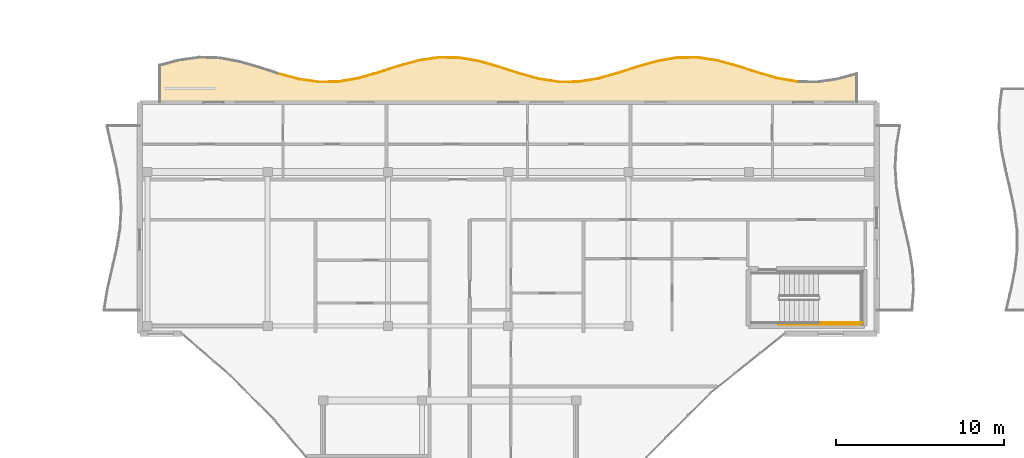
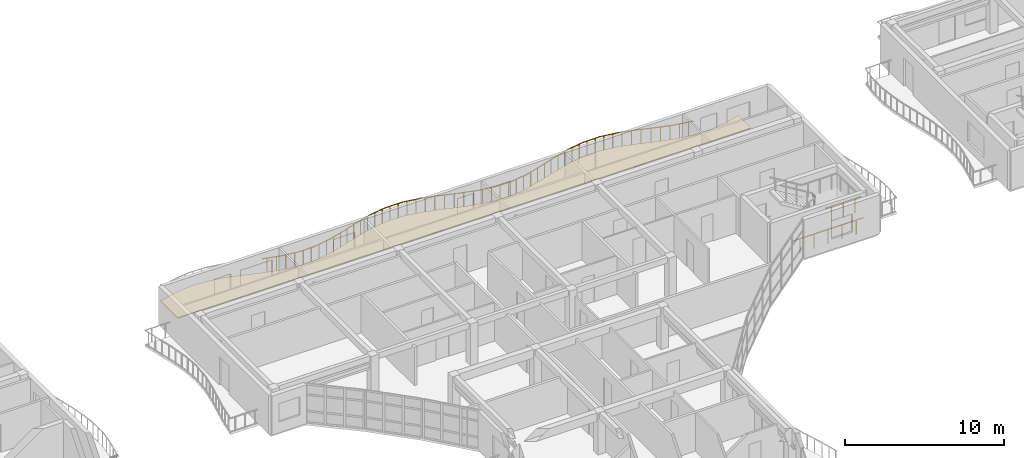
# One storey, part 44 of 49: 28 railings, 1 covering.
"""IFC4 building model written with IfcOpenShell, lengths in metres."""

from ifc_helpers import new_model, si_unit, direction, frame, origin, origin_2d, place, context, subcontext, project, spatial, polyline, circle, outline, extrude, material, layer, layer_set, type_object, element, save


model = new_model("IFC4")

# Units and contexts
model_context = context("Model", 3, precision=1e-05, world=origin(), true_north=direction((0.0, 1.0)))
body_context = subcontext(model_context, "Body", "Model", "MODEL_VIEW")
ifc_project = project(units=[si_unit("LENGTHUNIT", "METRE"), si_unit("AREAUNIT", "SQUARE_METRE"), si_unit("VOLUMEUNIT", "CUBIC_METRE"), si_unit("PLANEANGLEUNIT", "RADIAN"), si_unit("MASSUNIT", "GRAM", prefix="KILO")], contexts=[model_context])

# Site, building, storey
site_placement = place(None, origin())
site = spatial("IfcSite", under=ifc_project, at=site_placement, CompositionType="ELEMENT")
building_placement = place(site_placement, origin())
building = spatial("IfcBuilding", under=site, at=building_placement, Name="Keldmere Railside Commons", CompositionType="ELEMENT")
storey_placement = place(building_placement, frame((0.0, 0.0, 29.760009765625)))
storey = spatial("IfcBuildingStorey", under=building, at=storey_placement, Name="L09", CompositionType="ELEMENT", Elevation=29.760009765625)

# Railings
ifc_material_1 = material(Name="Steel F-24 (S235)", Category="steel")
railing_type_1 = type_object("IfcRailingType", Name="Balcony & Terrace Steel Balustrade 1100", PredefinedType="BALUSTRADE", material=ifc_material_1)
railing_1_placement = place(storey_placement, frame((101.831298828125, 115.502197265625, 0.0)))
element("IfcRailing", 1, at=railing_1_placement, inside=storey, type_object=railing_type_1, Name="GR-1 GRD-L09-2846", PredefinedType="BALUSTRADE", context=body_context, shape_type="SweptSolid", body=[
    extrude(circle(Radius=0.02392578125, at=origin_2d()), frame((0.0, 0.0, 1.076171875), z_axis=(0.965957790255, -0.25869972448, 0.0), x_axis=(0.25869972448, 0.965957790255, 0.0)), (0.0, 0.0, 1.0), 1.230712890625),
    extrude(circle(Radius=0.02099609375, at=origin_2d()), frame((0.297119140625, -0.07958984375, 0.0)), (0.0, 0.0, 1.0), 1.048095703125),
    extrude(circle(Radius=0.02099609375, at=origin_2d()), frame((0.8916015625, -0.23876953125, 0.0)), (0.0, 0.0, 1.0), 1.048095703125),
])
railing_2_placement = place(storey_placement, frame((103.02001953125, 115.183837890625, 0.0)))
element("IfcRailing", 2, at=railing_2_placement, inside=storey, type_object=railing_type_1, Name="GR-1 GRD-L09-2847", PredefinedType="BALUSTRADE", context=body_context, shape_type="SweptSolid", body=[
    extrude(circle(Radius=0.02392578125, at=origin_2d()), frame((0.0, 0.0, 1.076171875), z_axis=(0.989990126101, -0.141136636712, 0.0), x_axis=(0.141136636712, 0.989990126101, 0.0)), (0.0, 0.0, 1.0), 1.200439453125),
    extrude(circle(Radius=0.02099609375, at=origin_2d()), frame((0.297119140625, -0.04248046875, 0.0)), (0.0, 0.0, 1.0), 1.048095703125),
    extrude(circle(Radius=0.02099609375, at=origin_2d()), frame((0.891357421875, -0.126953125, 0.0)), (0.0, 0.0, 1.0), 1.048095703125),
])
railing_3_placement = place(storey_placement, frame((104.20849609375, 115.014404296875, 0.0)))
element("IfcRailing", 3, at=railing_3_placement, inside=storey, type_object=railing_type_1, Name="GR-1 GRD-L09-2848", PredefinedType="BALUSTRADE", context=body_context, shape_type="SweptSolid", body=[
    extrude(circle(Radius=0.02392578125, at=origin_2d()), frame((0.0, 0.0, 1.076171875), z_axis=(0.999793354377, 0.020328515523, 0.0), x_axis=(-0.020328515523, 0.999793354377, 0.0)), (0.0, 0.0, 1.0), 1.18896484375),
    extrude(circle(Radius=0.02099609375, at=origin_2d()), frame((0.297119140625, 0.006103515625, 0.0)), (0.0, 0.0, 1.0), 1.048095703125),
    extrude(circle(Radius=0.02099609375, at=origin_2d()), frame((0.8916015625, 0.01806640625, 0.0)), (0.0, 0.0, 1.0), 1.048095703125),
])
railing_4_placement = place(storey_placement, frame((105.397216796875, 115.03857421875, 0.0)))
element("IfcRailing", 4, at=railing_4_placement, inside=storey, type_object=railing_type_1, Name="GR-1 GRD-L09-2849", PredefinedType="BALUSTRADE", context=body_context, shape_type="SweptSolid", body=[
    extrude(circle(Radius=0.02392578125, at=origin_2d()), frame((0.0, 0.0, 1.076171875), z_axis=(0.9845772208, 0.174950553819, 0.0), x_axis=(-0.174950553819, 0.9845772208, 0.0)), (0.0, 0.0, 1.0), 1.20703125),
    extrude(circle(Radius=0.02099609375, at=origin_2d()), frame((0.297119140625, 0.052734375, 0.0)), (0.0, 0.0, 1.0), 1.048095703125),
    extrude(circle(Radius=0.02099609375, at=origin_2d()), frame((0.891357421875, 0.158447265625, 0.0)), (0.0, 0.0, 1.0), 1.048095703125),
])
railing_5_placement = place(storey_placement, frame((106.585693359375, 115.249755859375, 0.0)))
element("IfcRailing", 5, at=railing_5_placement, inside=storey, type_object=railing_type_1, Name="GR-1 GRD-L09-2850", PredefinedType="BALUSTRADE", context=body_context, shape_type="SweptSolid", body=[
    extrude(circle(Radius=0.02392578125, at=origin_2d()), frame((0.0, 0.0, 1.076171875), z_axis=(0.960850873278, 0.27706605588, 0.0), x_axis=(-0.27706605588, 0.960850873278, 0.0)), (0.0, 0.0, 1.0), 1.237060546875),
    extrude(circle(Radius=0.02099609375, at=origin_2d()), frame((0.297119140625, 0.085693359375, 0.0)), (0.0, 0.0, 1.0), 1.048095703125),
    extrude(circle(Radius=0.02099609375, at=origin_2d()), frame((0.8916015625, 0.257080078125, 0.0)), (0.0, 0.0, 1.0), 1.048095703125),
])
railing_6_placement = place(storey_placement, frame((107.7744140625, 115.592529296875, 0.0)))
element("IfcRailing", 6, at=railing_6_placement, inside=storey, type_object=railing_type_1, Name="GR-1 GRD-L09-2851", PredefinedType="BALUSTRADE", context=body_context, shape_type="SweptSolid", body=[
    extrude(circle(Radius=0.02392578125, at=origin_2d()), frame((0.0, 0.0, 1.076171875), z_axis=(0.95155558604, 0.307476774207, 0.0), x_axis=(-0.307476774207, 0.95155558604, 0.0)), (0.0, 0.0, 1.0), 1.2490234375),
    extrude(circle(Radius=0.02099609375, at=origin_2d()), frame((0.297119140625, 0.095947265625, 0.0)), (0.0, 0.0, 1.0), 1.048095703125),
    extrude(circle(Radius=0.02099609375, at=origin_2d()), frame((0.891357421875, 0.2880859375, 0.0)), (0.0, 0.0, 1.0), 1.048095703125),
])
railing_7_placement = place(storey_placement, frame((108.962890625, 115.9765625, 0.0)))
element("IfcRailing", 7, at=railing_7_placement, inside=storey, type_object=railing_type_1, Name="GR-1 GRD-L09-2852", PredefinedType="BALUSTRADE", context=body_context, shape_type="SweptSolid", body=[
    extrude(circle(Radius=0.02392578125, at=origin_2d()), frame((0.0, 0.0, 1.076171875), z_axis=(0.9646448265, 0.263553331809, 0.0), x_axis=(-0.263553331809, 0.9646448265, 0.0)), (0.0, 0.0, 1.0), 1.23193359375),
    extrude(circle(Radius=0.02099609375, at=origin_2d()), frame((0.297119140625, 0.0810546875, 0.0)), (0.0, 0.0, 1.0), 1.048095703125),
    extrude(circle(Radius=0.02099609375, at=origin_2d()), frame((0.891357421875, 0.24365234375, 0.0)), (0.0, 0.0, 1.0), 1.048095703125),
])
railing_8_placement = place(storey_placement, frame((110.1513671875, 116.30126953125, 0.0)))
element("IfcRailing", 8, at=railing_8_placement, inside=storey, type_object=railing_type_1, Name="GR-1 GRD-L09-2853", PredefinedType="BALUSTRADE", context=body_context, shape_type="SweptSolid", body=[
    extrude(circle(Radius=0.02392578125, at=origin_2d()), frame((0.0, 0.0, 1.076171875), z_axis=(0.988797390165, 0.149263931356, 0.0), x_axis=(-0.149263931356, 0.988797390165, 0.0)), (0.0, 0.0, 1.0), 1.2021484375),
    extrude(circle(Radius=0.02099609375, at=origin_2d()), frame((0.297119140625, 0.044921875, 0.0)), (0.0, 0.0, 1.0), 1.048095703125),
    extrude(circle(Radius=0.02099609375, at=origin_2d()), frame((0.8916015625, 0.134521484375, 0.0)), (0.0, 0.0, 1.0), 1.048095703125),
])
railing_9_placement = place(storey_placement, frame((111.340087890625, 116.480712890625, 0.0)))
element("IfcRailing", 9, at=railing_9_placement, inside=storey, type_object=railing_type_1, Name="GR-1 GRD-L09-2854", PredefinedType="BALUSTRADE", context=body_context, shape_type="SweptSolid", body=[
    extrude(circle(Radius=0.02392578125, at=origin_2d()), frame((0.0, 0.0, 1.076171875), z_axis=(0.999945125135, -0.010476006857, 0.0), x_axis=(0.010476006857, 0.999945125135, 0.0)), (0.0, 0.0, 1.0), 1.1884765625),
    extrude(circle(Radius=0.02099609375, at=origin_2d()), frame((0.297119140625, -0.003173828125, 0.0)), (0.0, 0.0, 1.0), 1.048095703125),
    extrude(circle(Radius=0.02099609375, at=origin_2d()), frame((0.891357421875, -0.00927734375, 0.0)), (0.0, 0.0, 1.0), 1.048095703125),
])
railing_10_placement = place(storey_placement, frame((112.528564453125, 116.46826171875, 0.0)))
element("IfcRailing", 10, at=railing_10_placement, inside=storey, type_object=railing_type_1, Name="GR-1 GRD-L09-2855", PredefinedType="BALUSTRADE", context=body_context, shape_type="SweptSolid", body=[
    extrude(circle(Radius=0.02392578125, at=origin_2d()), frame((0.0, 0.0, 1.076171875), z_axis=(0.985941385407, -0.167091545391, 0.0), x_axis=(0.167091545391, 0.985941385407, 0.0)), (0.0, 0.0, 1.0), 1.205322265625),
    extrude(circle(Radius=0.02099609375, at=origin_2d()), frame((0.297119140625, -0.05029296875, 0.0)), (0.0, 0.0, 1.0), 1.048095703125),
    extrude(circle(Radius=0.02099609375, at=origin_2d()), frame((0.891357421875, -0.151123046875, 0.0)), (0.0, 0.0, 1.0), 1.048095703125),
])
railing_11_placement = place(storey_placement, frame((113.717041015625, 116.266845703125, 0.0)))
element("IfcRailing", 11, at=railing_11_placement, inside=storey, type_object=railing_type_1, Name="GR-1 GRD-L09-2856", PredefinedType="BALUSTRADE", context=body_context, shape_type="SweptSolid", body=[
    extrude(circle(Radius=0.02392578125, at=origin_2d()), frame((0.0, 0.0, 1.076171875), z_axis=(0.961999662981, -0.273050633444, 0.0), x_axis=(0.273050633444, 0.961999662981, 0.0)), (0.0, 0.0, 1.0), 1.235595703125),
    extrude(circle(Radius=0.02099609375, at=origin_2d()), frame((0.297119140625, -0.08447265625, 0.0)), (0.0, 0.0, 1.0), 1.048095703125),
    extrude(circle(Radius=0.02099609375, at=origin_2d()), frame((0.8916015625, -0.2529296875, 0.0)), (0.0, 0.0, 1.0), 1.048095703125),
])
railing_12_placement = place(storey_placement, frame((114.90576171875, 115.929443359375, 0.0)))
element("IfcRailing", 12, at=railing_12_placement, inside=storey, type_object=railing_type_1, Name="GR-1 GRD-L09-2857", PredefinedType="BALUSTRADE", context=body_context, shape_type="SweptSolid", body=[
    extrude(circle(Radius=0.02392578125, at=origin_2d()), frame((0.0, 0.0, 1.076171875), z_axis=(0.951441151342, -0.307830692967, 0.0), x_axis=(0.307830692967, 0.951441151342, 0.0)), (0.0, 0.0, 1.0), 1.2490234375),
    extrude(circle(Radius=0.02099609375, at=origin_2d()), frame((0.297119140625, -0.09619140625, 0.0)), (0.0, 0.0, 1.0), 1.048095703125),
    extrude(circle(Radius=0.02099609375, at=origin_2d()), frame((0.891357421875, -0.288330078125, 0.0)), (0.0, 0.0, 1.0), 1.048095703125),
])
railing_13_placement = place(storey_placement, frame((116.09423828125, 115.544921875, 0.0)))
element("IfcRailing", 13, at=railing_13_placement, inside=storey, type_object=railing_type_1, Name="GR-1 GRD-L09-2858", PredefinedType="BALUSTRADE", context=body_context, shape_type="SweptSolid", body=[
    extrude(circle(Radius=0.02392578125, at=origin_2d()), frame((0.0, 0.0, 1.076171875), z_axis=(0.963390238713, -0.268103054725, 0.0), x_axis=(0.268103054725, 0.963390238713, 0.0)), (0.0, 0.0, 1.0), 1.23388671875),
    extrude(circle(Radius=0.02099609375, at=origin_2d()), frame((0.297119140625, -0.082763671875, 0.0)), (0.0, 0.0, 1.0), 1.048095703125),
    extrude(circle(Radius=0.02099609375, at=origin_2d()), frame((0.8916015625, -0.248046875, 0.0)), (0.0, 0.0, 1.0), 1.048095703125),
])
railing_14_placement = place(storey_placement, frame((117.282958984375, 115.214111328125, 0.0)))
element("IfcRailing", 14, at=railing_14_placement, inside=storey, type_object=railing_type_1, Name="GR-1 GRD-L09-2859", PredefinedType="BALUSTRADE", context=body_context, shape_type="SweptSolid", body=[
    extrude(circle(Radius=0.02392578125, at=origin_2d()), frame((0.0, 0.0, 1.076171875), z_axis=(0.987500057711, -0.157618641093, 0.0), x_axis=(0.157618641093, 0.987500057711, 0.0)), (0.0, 0.0, 1.0), 1.20361328125),
    extrude(circle(Radius=0.02099609375, at=origin_2d()), frame((0.297119140625, -0.04736328125, 0.0)), (0.0, 0.0, 1.0), 1.048095703125),
    extrude(circle(Radius=0.02099609375, at=origin_2d()), frame((0.891357421875, -0.142333984375, 0.0)), (0.0, 0.0, 1.0), 1.048095703125),
])
railing_15_placement = place(storey_placement, frame((118.471435546875, 115.0244140625, 0.0)))
element("IfcRailing", 15, at=railing_15_placement, inside=storey, type_object=railing_type_1, Name="GR-1 GRD-L09-2860", PredefinedType="BALUSTRADE", context=body_context, shape_type="SweptSolid", body=[
    extrude(circle(Radius=0.02392578125, at=origin_2d()), frame((0.0, 0.0, 1.076171875), z_axis=(0.999999472517, 0.001027115317, 0.0), x_axis=(-0.001027115317, 0.999999472517, 0.0)), (0.0, 0.0, 1.0), 1.1884765625),
    extrude(circle(Radius=0.02099609375, at=origin_2d()), frame((0.297119140625, 0.000244140625, 0.0)), (0.0, 0.0, 1.0), 1.048095703125),
    extrude(circle(Radius=0.02099609375, at=origin_2d()), frame((0.891357421875, 0.0009765625, 0.0)), (0.0, 0.0, 1.0), 1.048095703125),
])
railing_16_placement = place(storey_placement, frame((119.659912109375, 115.025634765625, 0.0)))
element("IfcRailing", 16, at=railing_16_placement, inside=storey, type_object=railing_type_1, Name="GR-1 GRD-L09-2861", PredefinedType="BALUSTRADE", context=body_context, shape_type="SweptSolid", body=[
    extrude(circle(Radius=0.02392578125, at=origin_2d()), frame((0.0, 0.0, 1.076171875), z_axis=(0.987251400737, 0.159168689583, 0.0), x_axis=(-0.159168689583, 0.987251400737, 0.0)), (0.0, 0.0, 1.0), 1.2041015625),
    extrude(circle(Radius=0.02099609375, at=origin_2d()), frame((0.297119140625, 0.0478515625, 0.0)), (0.0, 0.0, 1.0), 1.048095703125),
    extrude(circle(Radius=0.02099609375, at=origin_2d()), frame((0.8916015625, 0.143798828125, 0.0)), (0.0, 0.0, 1.0), 1.048095703125),
])
railing_17_placement = place(storey_placement, frame((120.8486328125, 115.21728515625, 0.0)))
element("IfcRailing", 17, at=railing_17_placement, inside=storey, type_object=railing_type_1, Name="GR-1 GRD-L09-2862", PredefinedType="BALUSTRADE", context=body_context, shape_type="SweptSolid", body=[
    extrude(circle(Radius=0.02392578125, at=origin_2d()), frame((0.0, 0.0, 1.076171875), z_axis=(0.963222507096, 0.268705046145, 0.0), x_axis=(-0.268705046145, 0.963222507096, 0.0)), (0.0, 0.0, 1.0), 1.23388671875),
    extrude(circle(Radius=0.02099609375, at=origin_2d()), frame((0.297119140625, 0.0830078125, 0.0)), (0.0, 0.0, 1.0), 1.048095703125),
    extrude(circle(Radius=0.02099609375, at=origin_2d()), frame((0.891357421875, 0.24853515625, 0.0)), (0.0, 0.0, 1.0), 1.048095703125),
])
railing_18_placement = place(storey_placement, frame((122.037109375, 115.548828125, 0.0)))
element("IfcRailing", 18, at=railing_18_placement, inside=storey, type_object=railing_type_1, Name="GR-1 GRD-L09-2863", PredefinedType="BALUSTRADE", context=body_context, shape_type="SweptSolid", body=[
    extrude(circle(Radius=0.02392578125, at=origin_2d()), frame((0.0, 0.0, 1.076171875), z_axis=(0.951383894966, 0.308007604451, 0.0), x_axis=(-0.308007604451, 0.951383894966, 0.0)), (0.0, 0.0, 1.0), 1.249267578125),
    extrude(circle(Radius=0.02099609375, at=origin_2d()), frame((0.297119140625, 0.09619140625, 0.0)), (0.0, 0.0, 1.0), 1.048095703125),
    extrude(circle(Radius=0.02099609375, at=origin_2d()), frame((0.891357421875, 0.28857421875, 0.0)), (0.0, 0.0, 1.0), 1.048095703125),
])
railing_19_placement = place(storey_placement, frame((123.2255859375, 115.93359375, 0.0)))
element("IfcRailing", 19, at=railing_19_placement, inside=storey, type_object=railing_type_1, Name="GR-1 GRD-L09-2864", PredefinedType="BALUSTRADE", context=body_context, shape_type="SweptSolid", body=[
    extrude(circle(Radius=0.02392578125, at=origin_2d()), frame((0.0, 0.0, 1.076171875), z_axis=(0.962258789802, 0.272136034824, 0.0), x_axis=(-0.272136034824, 0.962258789802, 0.0)), (0.0, 0.0, 1.0), 1.2353515625),
    extrude(circle(Radius=0.02099609375, at=origin_2d()), frame((0.297119140625, 0.083984375, 0.0)), (0.0, 0.0, 1.0), 1.048095703125),
    extrude(circle(Radius=0.02099609375, at=origin_2d()), frame((0.8916015625, 0.252197265625, 0.0)), (0.0, 0.0, 1.0), 1.048095703125),
])
railing_20_placement = place(storey_placement, frame((124.414306640625, 116.269775390625, 0.0)))
element("IfcRailing", 20, at=railing_20_placement, inside=storey, type_object=railing_type_1, Name="GR-1 GRD-L09-2865", PredefinedType="BALUSTRADE", context=body_context, shape_type="SweptSolid", body=[
    extrude(circle(Radius=0.02392578125, at=origin_2d()), frame((0.0, 0.0, 1.076171875), z_axis=(0.986174039909, 0.165712893313, 0.0), x_axis=(-0.165712893313, 0.986174039909, 0.0)), (0.0, 0.0, 1.0), 1.205078125),
    extrude(circle(Radius=0.02099609375, at=origin_2d()), frame((0.297119140625, 0.0498046875, 0.0)), (0.0, 0.0, 1.0), 1.048095703125),
    extrude(circle(Radius=0.02099609375, at=origin_2d()), frame((0.891357421875, 0.14990234375, 0.0)), (0.0, 0.0, 1.0), 1.048095703125),
])
railing_21_placement = place(storey_placement, frame((125.602783203125, 116.469482421875, 0.0)))
element("IfcRailing", 21, at=railing_21_placement, inside=storey, type_object=railing_type_1, Name="GR-1 GRD-L09-2866", PredefinedType="BALUSTRADE", context=body_context, shape_type="SweptSolid", body=[
    extrude(circle(Radius=0.02392578125, at=origin_2d()), frame((0.0, 0.0, 1.076171875), z_axis=(0.999961005625, 0.00883103784, 0.0), x_axis=(-0.00883103784, 0.999961005625, 0.0)), (0.0, 0.0, 1.0), 1.188720703125),
    extrude(circle(Radius=0.02099609375, at=origin_2d()), frame((0.297119140625, 0.002685546875, 0.0)), (0.0, 0.0, 1.0), 1.048095703125),
    extrude(circle(Radius=0.02099609375, at=origin_2d()), frame((0.8916015625, 0.0078125, 0.0)), (0.0, 0.0, 1.0), 1.048095703125),
])
railing_22_placement = place(storey_placement, frame((126.79150390625, 116.47998046875, 0.0)))
element("IfcRailing", 22, at=railing_22_placement, inside=storey, type_object=railing_type_1, Name="GR-1 GRD-L09-2867", PredefinedType="BALUSTRADE", context=body_context, shape_type="SweptSolid", body=[
    extrude(circle(Radius=0.02392578125, at=origin_2d()), frame((0.0, 0.0, 1.076171875), z_axis=(0.988521459957, -0.151080518942, 0.0), x_axis=(0.151080518942, 0.988521459957, 0.0)), (0.0, 0.0, 1.0), 1.202392578125),
    extrude(circle(Radius=0.02099609375, at=origin_2d()), frame((0.297119140625, -0.04541015625, 0.0)), (0.0, 0.0, 1.0), 1.048095703125),
    extrude(circle(Radius=0.02099609375, at=origin_2d()), frame((0.891357421875, -0.13623046875, 0.0)), (0.0, 0.0, 1.0), 1.048095703125),
])
railing_23_placement = place(storey_placement, frame((127.97998046875, 116.29833984375, 0.0)))
element("IfcRailing", 23, at=railing_23_placement, inside=storey, type_object=railing_type_1, Name="GR-1 GRD-L09-2868", PredefinedType="BALUSTRADE", context=body_context, shape_type="SweptSolid", body=[
    extrude(circle(Radius=0.02392578125, at=origin_2d()), frame((0.0, 0.0, 1.076171875), z_axis=(0.964456903817, -0.264240195049, 0.0), x_axis=(0.264240195049, 0.964456903817, 0.0)), (0.0, 0.0, 1.0), 1.232421875),
    extrude(circle(Radius=0.02099609375, at=origin_2d()), frame((0.297119140625, -0.08154296875, 0.0)), (0.0, 0.0, 1.0), 1.048095703125),
    extrude(circle(Radius=0.02099609375, at=origin_2d()), frame((0.8916015625, -0.244140625, 0.0)), (0.0, 0.0, 1.0), 1.048095703125),
])
railing_24_placement = place(storey_placement, frame((129.168701171875, 115.97265625, 0.0)))
element("IfcRailing", 24, at=railing_24_placement, inside=storey, type_object=railing_type_1, Name="GR-1 GRD-L09-2869", PredefinedType="BALUSTRADE", context=body_context, shape_type="SweptSolid", body=[
    extrude(circle(Radius=0.02392578125, at=origin_2d()), frame((0.0, 0.0, 1.076171875), z_axis=(0.951498381706, -0.307653749549, 0.0), x_axis=(0.307653749549, 0.951498381706, 0.0)), (0.0, 0.0, 1.0), 1.2490234375),
    extrude(circle(Radius=0.02099609375, at=origin_2d()), frame((0.297119140625, -0.09619140625, 0.0)), (0.0, 0.0, 1.0), 1.048095703125),
    extrude(circle(Radius=0.02099609375, at=origin_2d()), frame((0.891357421875, -0.2880859375, 0.0)), (0.0, 0.0, 1.0), 1.048095703125),
])
railing_25_placement = place(storey_placement, frame((130.357177734375, 115.58837890625, 0.0)))
element("IfcRailing", 25, at=railing_25_placement, inside=storey, type_object=railing_type_1, Name="GR-1 GRD-L09-2870", PredefinedType="BALUSTRADE", context=body_context, shape_type="SweptSolid", body=[
    extrude(circle(Radius=0.02392578125, at=origin_2d()), frame((0.0, 0.0, 1.076171875), z_axis=(0.961045709052, -0.276389480828, 0.0), x_axis=(0.276389480828, 0.961045709052, 0.0)), (0.0, 0.0, 1.0), 1.236572265625),
    extrude(circle(Radius=0.02099609375, at=origin_2d()), frame((0.297119140625, -0.08544921875, 0.0)), (0.0, 0.0, 1.0), 1.048095703125),
    extrude(circle(Radius=0.02099609375, at=origin_2d()), frame((0.891357421875, -0.25634765625, 0.0)), (0.0, 0.0, 1.0), 1.048095703125),
])
railing_26_placement = place(storey_placement, frame((131.545654296875, 115.24658203125, 0.0)))
element("IfcRailing", 26, at=railing_26_placement, inside=storey, type_object=railing_type_1, Name="GR-1 GRD-L09-2871", PredefinedType="BALUSTRADE", context=body_context, shape_type="SweptSolid", body=[
    extrude(circle(Radius=0.02392578125, at=origin_2d()), frame((0.0, 0.0, 1.076171875), z_axis=(0.984826289642, -0.173543018384, 0.0), x_axis=(0.173543018384, 0.984826289642, 0.0)), (0.0, 0.0, 1.0), 1.20703125),
    extrude(circle(Radius=0.02099609375, at=origin_2d()), frame((0.297119140625, -0.05224609375, 0.0)), (0.0, 0.0, 1.0), 1.048095703125),
    extrude(circle(Radius=0.02099609375, at=origin_2d()), frame((0.8916015625, -0.1572265625, 0.0)), (0.0, 0.0, 1.0), 1.048095703125),
])
railing_type_2 = type_object("IfcRailingType", Name="Stair Well Steel Guardrail 1100", PredefinedType="BALUSTRADE", material=ifc_material_1)
railing_27_placement = place(storey_placement, frame((134.02001953125, 100.64990234375, 1.60009765625)))
element("IfcRailing", 27, at=railing_27_placement, inside=storey, type_object=railing_type_2, Name="L09 ST-B2 stair guard 3", PredefinedType="BALUSTRADE", context=body_context, shape_type="SweptSolid", body=[
    extrude(circle(Radius=0.02392578125, at=origin_2d()), frame((0.0, 0.0, 1.076171875), z_axis=(1.0, 0.0, 0.0), x_axis=(0.0, 1.0, 0.0)), (0.0, 0.0, 1.0), 2.580078125),
    extrude(circle(Radius=0.02099609375, at=origin_2d()), frame((0.429931640625, 0.0, 0.0)), (0.0, 0.0, 1.0), 1.048095703125),
    extrude(circle(Radius=0.02099609375, at=origin_2d()), frame((1.2900390625, 0.0, 0.0)), (0.0, 0.0, 1.0), 1.048095703125),
    extrude(circle(Radius=0.02099609375, at=origin_2d()), frame((2.150146484375, 0.0, 0.0)), (0.0, 0.0, 1.0), 1.048095703125),
])
railing_28_placement = place(storey_placement, frame((131.60009765625, 100.550048828125, 0.0)))
element("IfcRailing", 28, at=railing_28_placement, inside=storey, type_object=railing_type_2, Name="L09 ST-B2 stair guard 10", PredefinedType="BALUSTRADE", context=body_context, shape_type="SweptSolid", body=[
    extrude(circle(Radius=0.02392578125, at=origin_2d()), frame((0.0, 0.0, 1.076171875), z_axis=(1.0, 0.0, 0.0), x_axis=(0.0, 1.0, 0.0)), (0.0, 0.0, 1.0), 5.099853515625),
    extrude(circle(Radius=0.02099609375, at=origin_2d()), frame((0.510009765625, 0.0, 0.0)), (0.0, 0.0, 1.0), 1.048095703125),
    extrude(circle(Radius=0.02099609375, at=origin_2d()), frame((1.530029296875, 0.0, 0.0)), (0.0, 0.0, 1.0), 1.048095703125),
    extrude(circle(Radius=0.02099609375, at=origin_2d()), frame((2.5498046875, 0.0, 0.0)), (0.0, 0.0, 1.0), 1.048095703125),
    extrude(circle(Radius=0.02099609375, at=origin_2d()), frame((3.56982421875, 0.0, 0.0)), (0.0, 0.0, 1.0), 1.048095703125),
    extrude(circle(Radius=0.02099609375, at=origin_2d()), frame((4.58984375, 0.0, 0.0)), (0.0, 0.0, 1.0), 1.048095703125),
])

# Covering
ifc_material_2 = material(Name="White Precast Concrete C35/45", Category="concrete")
ifc_layer = layer(ifc_material_2, 0.044921875, Name="White Architectural Balcony Ribbon Cladding 45")
ifc_layer_set = layer_set([ifc_layer], Name="White Precast Concrete C35/45")
covering_type = type_object("IfcCoveringType", Name="White Architectural Balcony Ribbon Cladding 45", PredefinedType="FLOORING", material=ifc_layer_set)
covering_placement = place(storey_placement, origin())
element("IfcCovering", 29, at=covering_placement, inside=storey, type_object=covering_type, Name="CLG-WB B L09 N White Balcony Ribbon", PredefinedType="FLOORING", context=body_context, shape_type="SweptSolid", body=[
    extrude(outline(polyline([(136.260009765625, 113.840087890625), (136.260009765625, 115.453857421875), (135.121826171875, 115.14794921875), (135.1171875, 115.14697265625), (133.9287109375, 114.9755859375), (133.92529296875, 114.975341796875), (133.922119140625, 114.975341796875), (132.733642578125, 114.997314453125), (132.73046875, 114.997314453125), (132.727294921875, 114.997802734375), (131.538818359375, 115.207275390625), (131.53466796875, 115.208251953125), (130.345947265625, 115.550048828125), (130.3447265625, 115.55029296875), (129.1572265625, 115.934326171875), (127.9716796875, 116.25927734375), (126.78857421875, 116.43994140625), (125.6064453125, 116.429443359375), (124.423095703125, 116.230712890625), (123.2373046875, 115.895263671875), (122.04931640625, 115.5107421875), (122.0478515625, 115.510498046875), (120.859375, 115.1787109375), (120.85498046875, 115.177734375), (119.66650390625, 114.986083984375), (119.6630859375, 114.985595703125), (119.659912109375, 114.985595703125), (118.471435546875, 114.984619140625), (118.46826171875, 114.984619140625), (118.465087890625, 114.985107421875), (117.276611328125, 115.1748046875), (117.272216796875, 115.17578125), (116.08349609375, 115.50634765625), (116.08203125, 115.5068359375), (114.89404296875, 115.89111328125), (113.708251953125, 116.227783203125), (112.52490234375, 116.42822265625), (111.3427734375, 116.44091796875), (110.15966796875, 116.261962890625), (108.974365234375, 115.938232421875), (107.78662109375, 115.554443359375), (107.785400390625, 115.55419921875), (106.5966796875, 115.211181640625), (106.5927734375, 115.210205078125), (105.404052734375, 114.9990234375), (105.40087890625, 114.998779296875), (105.39794921875, 114.99853515625), (104.20947265625, 114.974609375), (104.206298828125, 114.974609375), (104.202880859375, 114.974853515625), (103.014404296875, 115.144287109375), (103.009765625, 115.145263671875), (101.821044921875, 115.46337890625), (101.819091796875, 115.464111328125), (100.631103515625, 115.847412109375), (99.445068359375, 116.1943359375), (98.261474609375, 116.414306640625), (97.0791015625, 116.449462890625), (95.896484375, 116.291259765625), (94.739990234375, 115.988037109375), (94.739990234375, 113.840087890625), (136.260009765625, 113.840087890625)])), origin(), (0.0, 0.0, 1.0), 0.044921875),
])

save(model, "model.ifc")
